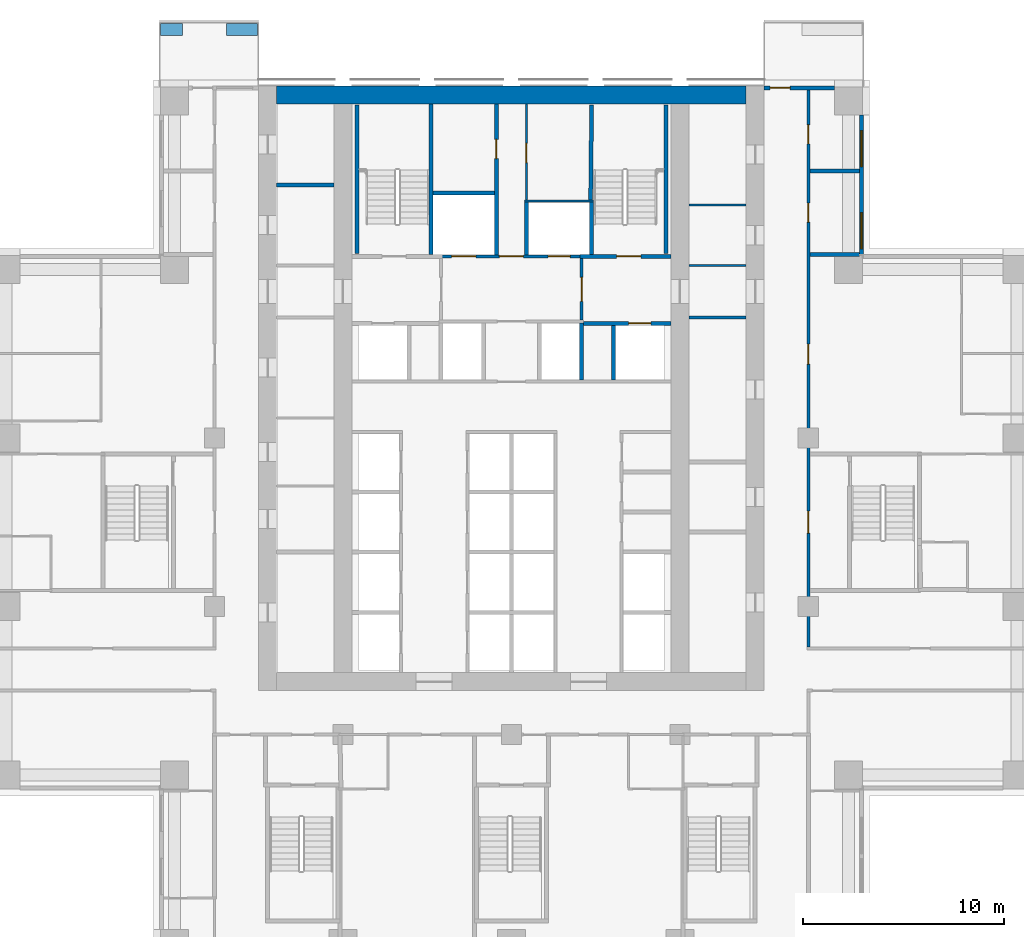
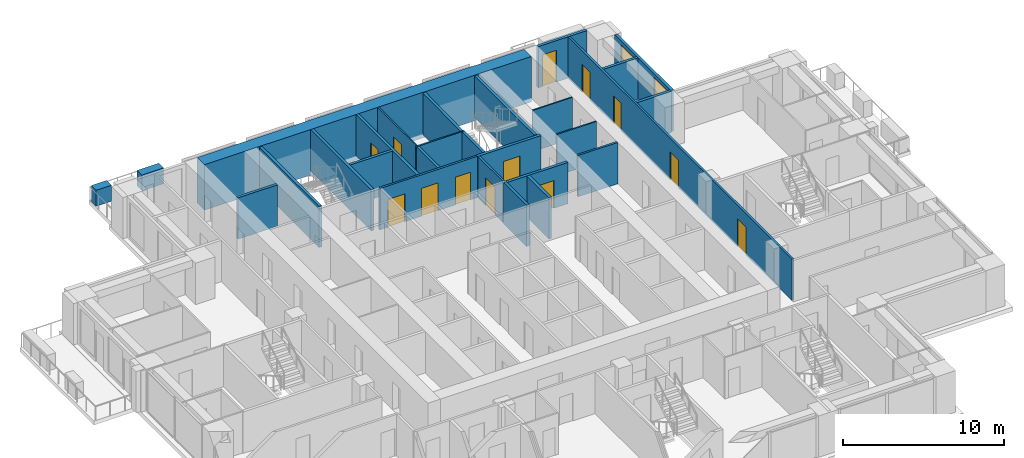
# One storey, part 11 of 16: 28 walls, 13 doors, 2 windows, 15 openings.
"""IFC4 building model written with IfcOpenShell, lengths in metres."""

from ifc_helpers import new_model, si_unit, direction, frame, frame_2d, origin, place, context, subcontext, project, spatial, rectangle, extrude, material, layer, layer_set, type_object, element, fill, save


model = new_model("IFC4")

# Units and contexts
model_context = context("Model", 3, precision=1e-05, world=origin(), true_north=direction((0.0, 1.0)))
body_context = subcontext(model_context, "Body", "Model", "MODEL_VIEW")
ifc_project = project(units=[si_unit("LENGTHUNIT", "METRE"), si_unit("AREAUNIT", "SQUARE_METRE"), si_unit("VOLUMEUNIT", "CUBIC_METRE"), si_unit("PLANEANGLEUNIT", "RADIAN"), si_unit("MASSUNIT", "GRAM", prefix="KILO")], contexts=[model_context])

# Site, building, storey
site_placement = place(None, origin())
site = spatial("IfcSite", under=ifc_project, at=site_placement, CompositionType="ELEMENT")
building_placement = place(site_placement, origin())
building = spatial("IfcBuilding", under=site, at=building_placement, Name="Vermilion Ogive Tower", CompositionType="ELEMENT")
storey_placement = place(building_placement, frame((0.0, 0.0, 41.39990234375)))
storey = spatial("IfcBuildingStorey", under=building, at=storey_placement, Name="L08", CompositionType="ELEMENT", Elevation=41.39990234375)

# Wall
ifc_material_1 = material(Name="Gypsum board partition on steel studs", Category="steel")
ifc_layer_1 = layer(ifc_material_1, 0.10009765625)
ifc_layer_set_1 = layer_set([ifc_layer_1], Name="Partition 100 bath")
wall_type_1 = type_object("IfcWallType", Name="Partition 100 bath", PredefinedType="PARTITIONING", material=ifc_layer_set_1)
wall_1_placement = place(storey_placement, frame((0.64990234375, 16.0, 0.0), z_axis=(0.0, 0.0, 1.0), x_axis=(1.0, 0.0, 0.0)))
element("IfcWall", 1, at=wall_1_placement, inside=storey, type_object=wall_type_1, Name="L08-CK-W-W021", PredefinedType="PARTITIONING", context=body_context, shape_type="SweptSolid", body=[
    extrude(rectangle(XDim=3.4501953125, YDim=0.10009765625, at=frame_2d((1.72509765625, 0.0))), origin(), (0.0, 0.0, 1.0), 3.130126953125),
])

# Wall, opening, door
wall_2_placement = place(storey_placement, frame((0.75, 16.050048828125, 0.0), z_axis=(0.0, 0.0, 1.0), x_axis=(0.0, 1.0, 0.0)))
wall_2 = element("IfcWall", 2, at=wall_2_placement, inside=storey, type_object=wall_type_1, Name="L08-CK-W-W033", PredefinedType="PARTITIONING", context=body_context, shape_type="SweptSolid", body=[
    extrude(rectangle(XDim=4.799072265625, YDim=0.10009765625, at=frame_2d((2.3994140625, 0.0))), origin(), (0.0, 0.0, 1.0), 3.130126953125),
])
opening_1_placement = place(wall_2_placement, frame((1.875, 0.0, 0.0)))
opening_1 = element("IfcOpeningElement", 3, at=opening_1_placement, cuts=wall_2, Name="Opening DAA031", PredefinedType="OPENING", context=body_context, shape_type="SweptSolid", body=[
    extrude(rectangle(XDim=0.949951171875, YDim=2.10009765625, at=frame_2d((0.47509765625, 1.050048828125))), frame((0.0, 0.06005859375, 0.0), z_axis=(0.0, -1.0, 0.0), x_axis=(1.0, 0.0, 0.0)), (0.0, 0.0, 1.0), 0.1201171875),
])
ifc_material_2 = material(Name="Timber door leaf", Category="wood")
door_type_1 = type_object("IfcDoorType", Name="Service door 950 x 2100 FD60", OperationType="SINGLE_SWING_LEFT", PredefinedType="DOOR", material=ifc_material_2)
door_1_placement = place(opening_1_placement, origin())
door_1 = element("IfcDoor", 4, at=door_1_placement, inside=storey, type_object=door_type_1, Name="L08-CK-D-D022", OperationType="SINGLE_SWING_LEFT", OverallHeight=2.10009765625, OverallWidth=0.949951171875, PredefinedType="DOOR", context=body_context, shape_type="SweptSolid", body=[
    extrude(rectangle(XDim=0.949951171875, YDim=2.10009765625, at=frame_2d((0.47509765625, 1.050048828125))), frame((0.0, 0.02490234375, 0.0), z_axis=(0.0, -1.0, 0.0), x_axis=(1.0, 0.0, 0.0)), (0.0, 0.0, 1.0), 0.050048828125),
])
fill(opening_1, door_1)

# Walls
for number, where, z_axis, x_axis, name in (
    (5, (8.85107421875, 12.800048828125, 0.0), (0.0, 0.0, 1.0), (1.0, 0.0, 0.0), "L08-CKE-W-W004"),
    (6, (8.85107421875, 15.800048828125, 0.0), (0.0, 0.0, 1.0), (1.0, 0.0, 0.0), "L08-CKE-W-W005"),
):
    element("IfcWall", number, at=place(storey_placement, frame(where, z_axis=z_axis, x_axis=x_axis)), inside=storey, type_object=wall_type_1, Name=name, PredefinedType="PARTITIONING", context=body_context, shape_type="SweptSolid", body=[
        extrude(rectangle(XDim=2.847900390625, YDim=0.10009765625, at=frame_2d((1.423828125, 0.0))), origin(), (0.0, 0.0, 1.0), 3.130126953125),
    ])

# Wall, openings, doors
ifc_material_3 = material(Name="Gypsum board partition on steel studs", Category="steel")
ifc_layer_2 = layer(ifc_material_3, 0.14990234375)
ifc_layer_set_2 = layer_set([ifc_layer_2], Name="Partition 150 corridor")
wall_type_2 = type_object("IfcWallType", Name="Partition 150 corridor", PredefinedType="PARTITIONING", material=ifc_layer_set_2)
wall_3_placement = place(storey_placement, frame((14.800048828125, -6.22509765625, 0.0), z_axis=(0.0, 0.0, 1.0), x_axis=(0.0, 1.0, 0.0)))
wall_3 = element("IfcWall", 7, at=wall_3_placement, inside=storey, type_object=wall_type_2, Name="L08-W-W068", PredefinedType="PARTITIONING", context=body_context, shape_type="SweptSolid", body=[
    extrude(rectangle(XDim=27.775146484375, YDim=0.14990234375, at=frame_2d((13.8876953125, 0.0))), origin(), (0.0, 0.0, 1.0), 3.130126953125),
])
opening_2_placement = place(wall_3_placement, frame((14.10009765625, 0.0, 0.0)))
opening_2 = element("IfcOpeningElement", 8, at=opening_2_placement, cuts=wall_3, Name="Opening D1G2020", PredefinedType="OPENING", context=body_context, shape_type="SweptSolid", body=[
    extrude(rectangle(XDim=1.0, YDim=2.10009765625, at=frame_2d((0.5, 1.050048828125))), frame((0.0, 0.0849609375, 0.0), z_axis=(0.0, -1.0, 0.0), x_axis=(1.0, 0.0, 0.0)), (0.0, 0.0, 1.0), 0.169921875),
])
opening_3_placement = place(wall_3_placement, frame((21.175048828125, 0.0, 0.0)))
opening_3 = element("IfcOpeningElement", 9, at=opening_3_placement, cuts=wall_3, Name="Opening D1G2023", PredefinedType="OPENING", context=body_context, shape_type="SweptSolid", body=[
    extrude(rectangle(XDim=0.949951171875, YDim=2.10009765625, at=frame_2d((0.47509765625, 1.050048828125))), frame((0.0, 0.0849609375, 0.0), z_axis=(0.0, -1.0, 0.0), x_axis=(1.0, 0.0, 0.0)), (0.0, 0.0, 1.0), 0.169921875),
])
opening_4_placement = place(wall_3_placement, frame((25.0751953125, 0.0, 0.0)))
opening_4 = element("IfcOpeningElement", 10, at=opening_4_placement, cuts=wall_3, Name="Opening D1G2024", PredefinedType="OPENING", context=body_context, shape_type="SweptSolid", body=[
    extrude(rectangle(XDim=0.949951171875, YDim=2.10009765625, at=frame_2d((0.47509765625, 1.050048828125))), frame((0.0, 0.0849609375, 0.0), z_axis=(0.0, -1.0, 0.0), x_axis=(1.0, 0.0, 0.0)), (0.0, 0.0, 1.0), 0.169921875),
])
opening_5_placement = place(wall_3_placement, frame((5.675048828125, 0.0, 0.0)))
opening_5 = element("IfcOpeningElement", 11, at=opening_5_placement, cuts=wall_3, Name="Opening D1G2031", PredefinedType="OPENING", context=body_context, shape_type="SweptSolid", body=[
    extrude(rectangle(XDim=1.10009765625, YDim=2.10009765625, at=frame_2d((0.550048828125, 1.050048828125))), frame((0.0, 0.0849609375, 0.0), z_axis=(0.0, -1.0, 0.0), x_axis=(1.0, 0.0, 0.0)), (0.0, 0.0, 1.0), 0.169921875),
])
ifc_material_4 = material(Name="Timber door leaf", Category="wood")
door_type_2 = type_object("IfcDoorType", Name="Stair door 1100 x 2100 FD60S", OperationType="SINGLE_SWING_LEFT", PredefinedType="DOOR", material=ifc_material_4)
door_2_placement = place(opening_5_placement, origin())
door_2 = element("IfcDoor", 12, at=door_2_placement, inside=storey, type_object=door_type_2, Name="L08-D-D031", OperationType="SINGLE_SWING_LEFT", OverallHeight=2.10009765625, OverallWidth=1.10009765625, PredefinedType="DOOR", context=body_context, shape_type="SweptSolid", body=[
    extrude(rectangle(XDim=1.10009765625, YDim=2.10009765625, at=frame_2d((0.550048828125, 1.050048828125))), frame((0.0, 0.02490234375, 0.0), z_axis=(0.0, -1.0, 0.0), x_axis=(1.0, 0.0, 0.0)), (0.0, 0.0, 1.0), 0.050048828125),
])
fill(opening_5, door_2)
ifc_material_5 = material(Name="Timber door leaf", Category="wood")
door_type_3 = type_object("IfcDoorType", Name="Unit door 1000 x 2100 FD30S", OperationType="SINGLE_SWING_LEFT", PredefinedType="DOOR", material=ifc_material_5)
door_3_placement = place(opening_2_placement, origin())
door_3 = element("IfcDoor", 13, at=door_3_placement, inside=storey, type_object=door_type_3, Name="L08-D-D020", OperationType="SINGLE_SWING_RIGHT", OverallHeight=2.10009765625, OverallWidth=1.0, PredefinedType="DOOR", context=body_context, shape_type="SweptSolid", body=[
    extrude(rectangle(XDim=1.0, YDim=2.10009765625, at=frame_2d((0.5, 1.050048828125))), frame((0.0, 0.02490234375, 0.0), z_axis=(0.0, -1.0, 0.0), x_axis=(1.0, 0.0, 0.0)), (0.0, 0.0, 1.0), 0.050048828125),
])
fill(opening_2, door_3)
ifc_material_6 = material(Name="Timber door leaf", Category="wood")
door_type_4 = type_object("IfcDoorType", Name="Unit door 950 x 2100 FD30S", OperationType="SINGLE_SWING_LEFT", PredefinedType="DOOR", material=ifc_material_6)
door_4_placement = place(opening_3_placement, origin())
door_4 = element("IfcDoor", 14, at=door_4_placement, inside=storey, type_object=door_type_4, Name="L08-D-D023", OperationType="SINGLE_SWING_LEFT", OverallHeight=2.10009765625, OverallWidth=0.949951171875, PredefinedType="DOOR", context=body_context, shape_type="SweptSolid", body=[
    extrude(rectangle(XDim=0.949951171875, YDim=2.10009765625, at=frame_2d((0.47509765625, 1.050048828125))), frame((0.0, 0.02490234375, 0.0), z_axis=(0.0, -1.0, 0.0), x_axis=(1.0, 0.0, 0.0)), (0.0, 0.0, 1.0), 0.050048828125),
])
fill(opening_3, door_4)
door_5_placement = place(opening_4_placement, origin())
door_5 = element("IfcDoor", 15, at=door_5_placement, inside=storey, type_object=door_type_4, Name="L08-D-D024", OperationType="SINGLE_SWING_RIGHT", OverallHeight=2.10009765625, OverallWidth=0.949951171875, PredefinedType="DOOR", context=body_context, shape_type="SweptSolid", body=[
    extrude(rectangle(XDim=0.949951171875, YDim=2.10009765625, at=frame_2d((0.47509765625, 1.050048828125))), frame((0.0, 0.02490234375, 0.0), z_axis=(0.0, -1.0, 0.0), x_axis=(1.0, 0.0, 0.0)), (0.0, 0.0, 1.0), 0.050048828125),
])
fill(opening_4, door_5)

wall_4_placement = place(storey_placement, frame((-3.574951171875, 13.25, 0.0), z_axis=(0.0, 0.0, 1.0), x_axis=(1.0, 0.0, 0.0)))
wall_4 = element("IfcWall", 16, at=wall_4_placement, inside=storey, type_object=wall_type_2, Name="L08-CK-W-W019", PredefinedType="PARTITIONING", context=body_context, shape_type="SweptSolid", body=[
    extrude(rectangle(XDim=7.14990234375, YDim=0.14990234375, at=frame_2d((3.574951171875, 0.0))), origin(), (0.0, 0.0, 1.0), 3.130126953125),
])
opening_6_placement = place(wall_4_placement, frame((0.599853515625, 0.0, 0.0)))
opening_6 = element("IfcOpeningElement", 17, at=opening_6_placement, cuts=wall_4, Name="Opening DAA045", PredefinedType="OPENING", context=body_context, shape_type="SweptSolid", body=[
    extrude(rectangle(XDim=1.199951171875, YDim=2.10009765625, at=frame_2d((0.60009765625, 1.050048828125))), frame((0.0, 0.0849609375, 0.0), z_axis=(0.0, -1.0, 0.0), x_axis=(1.0, 0.0, 0.0)), (0.0, 0.0, 1.0), 0.169921875),
])
opening_7_placement = place(wall_4_placement, frame((5.39990234375, 0.0, 0.0)))
opening_7 = element("IfcOpeningElement", 18, at=opening_7_placement, cuts=wall_4, Name="Opening DAA036", PredefinedType="OPENING", context=body_context, shape_type="SweptSolid", body=[
    extrude(rectangle(XDim=1.10009765625, YDim=2.10009765625, at=frame_2d((0.550048828125, 1.050048828125))), frame((0.0, 0.0849609375, 0.0), z_axis=(0.0, -1.0, 0.0), x_axis=(1.0, 0.0, 0.0)), (0.0, 0.0, 1.0), 0.169921875),
])
opening_8_placement = place(wall_4_placement, frame((2.974853515625, 0.0, 0.0)))
opening_8 = element("IfcOpeningElement", 19, at=opening_8_placement, cuts=wall_4, Name="Opening DAA026", PredefinedType="OPENING", context=body_context, shape_type="SweptSolid", body=[
    extrude(rectangle(XDim=1.199951171875, YDim=2.10009765625, at=frame_2d((0.60009765625, 1.050048828125))), frame((0.0, 0.0849609375, 0.0), z_axis=(0.0, -1.0, 0.0), x_axis=(1.0, 0.0, 0.0)), (0.0, 0.0, 1.0), 0.169921875),
])
ifc_material_7 = material(Name="Stainless steel", Category="steel")
door_type_5 = type_object("IfcDoorType", Name="Lift landing door 1100 x 2100", OperationType="SLIDING_TO_LEFT", PredefinedType="DOOR", material=ifc_material_7)
door_6_placement = place(opening_7_placement, origin())
door_6 = element("IfcDoor", 20, at=door_6_placement, inside=storey, type_object=door_type_5, Name="L08-CK-D-D019", OperationType="SLIDING_TO_LEFT", OverallHeight=2.10009765625, OverallWidth=1.10009765625, PredefinedType="DOOR", context=body_context, shape_type="SweptSolid", body=[
    extrude(rectangle(XDim=1.10009765625, YDim=2.10009765625, at=frame_2d((0.550048828125, 1.050048828125))), frame((0.0, 0.02490234375, 0.0), z_axis=(0.0, -1.0, 0.0), x_axis=(1.0, 0.0, 0.0)), (0.0, 0.0, 1.0), 0.050048828125),
])
fill(opening_7, door_6)
ifc_material_8 = material(Name="Stainless steel", Category="steel")
door_type_6 = type_object("IfcDoorType", Name="Lift landing door 1200 x 2100", OperationType="SLIDING_TO_LEFT", PredefinedType="DOOR", material=ifc_material_8)
door_7_placement = place(opening_6_placement, origin())
door_7 = element("IfcDoor", 21, at=door_7_placement, inside=storey, type_object=door_type_6, Name="L08-CK-D-D018", OperationType="SLIDING_TO_RIGHT", OverallHeight=2.10009765625, OverallWidth=1.199951171875, PredefinedType="DOOR", context=body_context, shape_type="SweptSolid", body=[
    extrude(rectangle(XDim=1.199951171875, YDim=2.10009765625, at=frame_2d((0.60009765625, 1.050048828125))), frame((0.0, 0.02490234375, 0.0), z_axis=(0.0, -1.0, 0.0), x_axis=(1.0, 0.0, 0.0)), (0.0, 0.0, 1.0), 0.050048828125),
])
fill(opening_6, door_7)
ifc_material_9 = material(Name="Timber door leaf", Category="wood")
door_type_7 = type_object("IfcDoorType", Name="Service door 1200 x 2100 FD60", OperationType="SINGLE_SWING_LEFT", PredefinedType="DOOR", material=ifc_material_9)
door_8_placement = place(opening_8_placement, origin())
door_8 = element("IfcDoor", 22, at=door_8_placement, inside=storey, type_object=door_type_7, Name="L08-CK-D-D020", OperationType="SINGLE_SWING_RIGHT", OverallHeight=2.10009765625, OverallWidth=1.199951171875, PredefinedType="DOOR", context=body_context, shape_type="SweptSolid", body=[
    extrude(rectangle(XDim=1.199951171875, YDim=2.10009765625, at=frame_2d((0.60009765625, 1.050048828125))), frame((0.0, 0.02490234375, 0.0), z_axis=(0.0, -1.0, 0.0), x_axis=(1.0, 0.0, 0.0)), (0.0, 0.0, 1.0), 0.050048828125),
])
fill(opening_8, door_8)

# Wall, opening, door
wall_5_placement = place(storey_placement, frame((3.5, 10.074951171875, 0.0), z_axis=(0.0, 0.0, 1.0), x_axis=(0.0, 1.0, 0.0)))
wall_5 = element("IfcWall", 23, at=wall_5_placement, inside=storey, type_object=wall_type_2, Name="L08-CK-W-W037", PredefinedType="PARTITIONING", context=body_context, shape_type="SweptSolid", body=[
    extrude(rectangle(XDim=3.074951171875, YDim=0.14990234375, at=frame_2d((1.53759765625, 0.0))), origin(), (0.0, 0.0, 1.0), 3.130126953125),
])
opening_9_placement = place(wall_5_placement, frame((0.925048828125, 0.0, 0.0)))
opening_9 = element("IfcOpeningElement", 24, at=opening_9_placement, cuts=wall_5, Name="Opening DAA023", PredefinedType="OPENING", context=body_context, shape_type="SweptSolid", body=[
    extrude(rectangle(XDim=1.199951171875, YDim=2.10009765625, at=frame_2d((0.60009765625, 1.050048828125))), frame((0.0, 0.0849609375, 0.0), z_axis=(0.0, -1.0, 0.0), x_axis=(1.0, 0.0, 0.0)), (0.0, 0.0, 1.0), 0.169921875),
])
ifc_material_10 = material(Name="Timber door leaf", Category="wood")
door_type_8 = type_object("IfcDoorType", Name="Lobby door 1200 x 2100 FD60S", OperationType="SINGLE_SWING_LEFT", PredefinedType="DOOR", material=ifc_material_10)
door_9_placement = place(opening_9_placement, origin())
door_9 = element("IfcDoor", 25, at=door_9_placement, inside=storey, type_object=door_type_8, Name="L08-CK-D-D024", OperationType="SINGLE_SWING_LEFT", OverallHeight=2.10009765625, OverallWidth=1.199951171875, PredefinedType="DOOR", context=body_context, shape_type="SweptSolid", body=[
    extrude(rectangle(XDim=1.199951171875, YDim=2.10009765625, at=frame_2d((0.60009765625, 1.050048828125))), frame((0.0, 0.02490234375, 0.0), z_axis=(0.0, -1.0, 0.0), x_axis=(1.0, 0.0, 0.0)), (0.0, 0.0, 1.0), 0.050048828125),
])
fill(opening_9, door_9)

# Walls
wall_6_placement = place(storey_placement, frame((8.85107421875, 10.199951171875, 0.0), z_axis=(0.0, 0.0, 1.0), x_axis=(1.0, 0.0, 0.0)))
element("IfcWall", 26, at=wall_6_placement, inside=storey, type_object=wall_type_2, Name="L08-CKE-W-W003", PredefinedType="PARTITIONING", context=body_context, shape_type="SweptSolid", body=[
    extrude(rectangle(XDim=2.847900390625, YDim=0.14990234375, at=frame_2d((1.423828125, 0.0))), origin(), (0.0, 0.0, 1.0), 3.130126953125),
])
ifc_material_11 = material(Name="Gypsum board partition on steel studs", Category="steel")
ifc_layer_3 = layer(ifc_material_11, 0.199951171875)
ifc_layer_set_3 = layer_set([ifc_layer_3], Name="Partition 200 party")
wall_type_3 = type_object("IfcWallType", Name="Partition 200 party", PredefinedType="PARTITIONING", material=ifc_layer_set_3)
for number, where, z_axis, x_axis, name in (
    (27, (14.875, 13.35009765625, 0.0), (0.0, 0.0, 1.0), (1.0, 0.0, 0.0), "L08-W-W038"),
    (28, (14.875, 17.5, 0.0), (0.0, 0.0, 1.0), (1.0, 0.0, 0.0), "L08-W-W040"),
):
    element("IfcWall", number, at=place(storey_placement, frame(where, z_axis=z_axis, x_axis=x_axis)), inside=storey, type_object=wall_type_3, Name=name, PredefinedType="PARTITIONING", context=body_context, shape_type="SweptSolid", body=[
        extrude(rectangle(XDim=2.47509765625, YDim=0.199951171875, at=frame_2d((1.237548828125, 0.0))), origin(), (0.0, 0.0, 1.0), 3.130126953125),
    ])

# Wall, opening, door
wall_7_placement = place(storey_placement, frame((3.60009765625, 9.89990234375, 0.0), z_axis=(0.0, 0.0, 1.0), x_axis=(1.0, 0.0, 0.0)))
wall_7 = element("IfcWall", 29, at=wall_7_placement, inside=storey, type_object=wall_type_3, Name="L08-CK-W-W016", PredefinedType="PARTITIONING", context=body_context, shape_type="SweptSolid", body=[
    extrude(rectangle(XDim=4.348876953125, YDim=0.199951171875, at=frame_2d((2.17431640625, 0.0))), origin(), (0.0, 0.0, 1.0), 3.130126953125),
])
opening_10_placement = place(wall_7_placement, frame((2.25, 0.0, 0.0)))
opening_10 = element("IfcOpeningElement", 30, at=opening_10_placement, cuts=wall_7, Name="Opening DAA035", PredefinedType="OPENING", context=body_context, shape_type="SweptSolid", body=[
    extrude(rectangle(XDim=1.10009765625, YDim=2.10009765625, at=frame_2d((0.550048828125, 1.050048828125))), frame((0.0, 0.10986328125, 0.0), z_axis=(0.0, -1.0, 0.0), x_axis=(1.0, 0.0, 0.0)), (0.0, 0.0, 1.0), 0.219970703125),
])
door_10_placement = place(opening_10_placement, origin())
door_10 = element("IfcDoor", 31, at=door_10_placement, inside=storey, type_object=door_type_5, Name="L08-CK-D-D015", OperationType="SLIDING_TO_LEFT", OverallHeight=2.10009765625, OverallWidth=1.10009765625, PredefinedType="DOOR", context=body_context, shape_type="SweptSolid", body=[
    extrude(rectangle(XDim=1.10009765625, YDim=2.10009765625, at=frame_2d((0.550048828125, 1.050048828125))), frame((0.0, 0.02490234375, 0.0), z_axis=(0.0, -1.0, 0.0), x_axis=(1.0, 0.0, 0.0)), (0.0, 0.0, 1.0), 0.050048828125),
])
fill(opening_10, door_10)

# Wall
wall_8_placement = place(storey_placement, frame((-3.89990234375, 16.39990234375, 0.0), z_axis=(0.0, 0.0, 1.0), x_axis=(1.0, 0.0, 0.0)))
element("IfcWall", 32, at=wall_8_placement, inside=storey, type_object=wall_type_3, Name="L08-CK-W-W022", PredefinedType="PARTITIONING", context=body_context, shape_type="SweptSolid", body=[
    extrude(rectangle(XDim=3.0498046875, YDim=0.199951171875, at=frame_2d((1.52490234375, 0.0))), origin(), (0.0, 0.0, 1.0), 3.130126953125),
])

# Wall, opening, door
wall_9_placement = place(storey_placement, frame((-0.75, 13.324951171875, 0.0), z_axis=(0.0, 0.0, 1.0), x_axis=(0.0, 1.0, 0.0)))
wall_9 = element("IfcWall", 33, at=wall_9_placement, inside=storey, type_object=wall_type_3, Name="L08-CK-W-W030", PredefinedType="PARTITIONING", context=body_context, shape_type="SweptSolid", body=[
    extrude(rectangle(XDim=7.524169921875, YDim=0.199951171875, at=frame_2d((3.76220703125, 0.0))), origin(), (0.0, 0.0, 1.0), 3.130126953125),
])
opening_11_placement = place(wall_9_placement, frame((4.800048828125, 0.0, 0.0)))
opening_11 = element("IfcOpeningElement", 34, at=opening_11_placement, cuts=wall_9, Name="Opening DAA030", PredefinedType="OPENING", context=body_context, shape_type="SweptSolid", body=[
    extrude(rectangle(XDim=0.949951171875, YDim=2.10009765625, at=frame_2d((0.47509765625, 1.050048828125))), frame((0.0, 0.10986328125, 0.0), z_axis=(0.0, -1.0, 0.0), x_axis=(1.0, 0.0, 0.0)), (0.0, 0.0, 1.0), 0.219970703125),
])
door_11_placement = place(opening_11_placement, origin())
door_11 = element("IfcDoor", 35, at=door_11_placement, inside=storey, type_object=door_type_1, Name="L08-CK-D-D021", OperationType="SINGLE_SWING_RIGHT", OverallHeight=2.10009765625, OverallWidth=0.949951171875, PredefinedType="DOOR", context=body_context, shape_type="SweptSolid", body=[
    extrude(rectangle(XDim=0.949951171875, YDim=2.10009765625, at=frame_2d((0.47509765625, 1.050048828125))), frame((0.0, 0.02490234375, 0.0), z_axis=(0.0, -1.0, 0.0), x_axis=(1.0, 0.0, 0.0)), (0.0, 0.0, 1.0), 0.050048828125),
])
fill(opening_11, door_11)

# Walls
wall_10_placement = place(storey_placement, frame((0.75, 13.324951171875, 0.0), z_axis=(0.0, 0.0, 1.0), x_axis=(0.0, 1.0, 0.0)))
element("IfcWall", 36, at=wall_10_placement, inside=storey, type_object=wall_type_3, Name="L08-CK-W-W032", PredefinedType="PARTITIONING", context=body_context, shape_type="SweptSolid", body=[
    extrude(rectangle(XDim=2.625, YDim=0.199951171875, at=frame_2d((1.3125, 0.0))), origin(), (0.0, 0.0, 1.0), 3.130126953125),
])
wall_11_placement = place(storey_placement, frame((3.5, 7.074951171875, 0.0), z_axis=(0.0, 0.0, 1.0), x_axis=(0.0, 1.0, 0.0)))
element("IfcWall", 37, at=wall_11_placement, inside=storey, type_object=wall_type_3, Name="L08-CK-W-W036", PredefinedType="PARTITIONING", context=body_context, shape_type="SweptSolid", body=[
    extrude(rectangle(XDim=2.85009765625, YDim=0.199951171875, at=frame_2d((1.425048828125, 0.0))), origin(), (0.0, 0.0, 1.0), 3.130126953125),
])
wall_12_placement = place(storey_placement, frame((5.10009765625, 7.074951171875, 0.0), z_axis=(0.0, 0.0, 1.0), x_axis=(0.0, 1.0, 0.0)))
element("IfcWall", 38, at=wall_12_placement, inside=storey, type_object=wall_type_3, Name="L08-CK-W-W040", PredefinedType="PARTITIONING", context=body_context, shape_type="SweptSolid", body=[
    extrude(rectangle(XDim=2.72509765625, YDim=0.199951171875, at=frame_2d((1.362548828125, 0.0))), origin(), (0.0, 0.0, 1.0), 3.130126953125),
])
wall_13_placement = place(storey_placement, frame((-11.698974609375, 16.800048828125, 0.0), z_axis=(0.0, 0.0, 1.0), x_axis=(1.0, 0.0, 0.0)))
element("IfcWall", 39, at=wall_13_placement, inside=storey, type_object=wall_type_3, Name="L08-CKW-W-W006", PredefinedType="PARTITIONING", context=body_context, shape_type="SweptSolid", body=[
    extrude(rectangle(XDim=2.847900390625, YDim=0.199951171875, at=frame_2d((1.423828125, 0.0))), origin(), (0.0, 0.0, 1.0), 3.130126953125),
])
ifc_material_12 = material(Name="Concrete B60", Category="concrete")
ifc_layer_4 = layer(ifc_material_12, 0.199951171875)
ifc_layer_set_4 = layer_set([ifc_layer_4], Name="Stair shaft wall 200 Concrete B60")
wall_type_4 = type_object("IfcWallType", Name="Stair shaft wall 200 Concrete B60", PredefinedType="SOLIDWALL", material=ifc_layer_set_4)
wall_14_placement = place(storey_placement, frame((-11.699951171875, 21.300048828125, -0.31982421875), z_axis=(0.0, 0.0, 1.0), x_axis=(1.0, 0.0, 0.0)))
element("IfcWall", 40, at=wall_14_placement, inside=storey, type_object=wall_type_4, Name="L08-CORE-N", PredefinedType="SOLIDWALL", context=body_context, shape_type="SweptSolid", body=[
    extrude(rectangle(XDim=23.39990234375, YDim=0.89990234375, at=frame_2d((11.699951171875, 0.0))), origin(), (0.0, 0.0, 1.0), 3.449951171875),
])

# Wall, opening, door
wall_15_placement = place(storey_placement, frame((3.425048828125, 13.25, 0.0), z_axis=(0.0, 0.0, 1.0), x_axis=(1.0, 0.0, 0.0)))
wall_15 = element("IfcWall", 41, at=wall_15_placement, inside=storey, type_object=wall_type_4, Name="L08-CK-W-W020", PredefinedType="SOLIDWALL", context=body_context, shape_type="SweptSolid", body=[
    extrude(rectangle(XDim=4.52392578125, YDim=0.199951171875, at=frame_2d((2.261962890625, 0.0))), origin(), (0.0, 0.0, 1.0), 3.130126953125),
])
opening_12_placement = place(wall_15_placement, frame((1.824951171875, 0.0, 0.0)))
opening_12 = element("IfcOpeningElement", 42, at=opening_12_placement, cuts=wall_15, Name="Opening DAA033", PredefinedType="OPENING", context=body_context, shape_type="SweptSolid", body=[
    extrude(rectangle(XDim=1.199951171875, YDim=2.10009765625, at=frame_2d((0.60009765625, 1.050048828125))), frame((0.0, 0.10986328125, 0.0), z_axis=(0.0, -1.0, 0.0), x_axis=(1.0, 0.0, 0.0)), (0.0, 0.0, 1.0), 0.219970703125),
])
ifc_material_13 = material(Name="Timber door leaf", Category="wood")
door_type_9 = type_object("IfcDoorType", Name="Stair door 1200 x 2100 FD60S", OperationType="SINGLE_SWING_LEFT", PredefinedType="DOOR", material=ifc_material_13)
door_12_placement = place(opening_12_placement, origin())
door_12 = element("IfcDoor", 43, at=door_12_placement, inside=storey, type_object=door_type_9, Name="L08-CK-D-D014", OperationType="SINGLE_SWING_RIGHT", OverallHeight=2.10009765625, OverallWidth=1.199951171875, PredefinedType="DOOR", context=body_context, shape_type="SweptSolid", body=[
    extrude(rectangle(XDim=1.199951171875, YDim=2.10009765625, at=frame_2d((0.60009765625, 1.050048828125))), frame((0.0, 0.02490234375, 0.0), z_axis=(0.0, -1.0, 0.0), x_axis=(1.0, 0.0, 0.0)), (0.0, 0.0, 1.0), 0.050048828125),
])
fill(opening_12, door_12)

# Walls
wall_16_placement = place(storey_placement, frame((-4.0, 13.35009765625, 0.0), z_axis=(0.0, 0.0, 1.0), x_axis=(0.0, 1.0, 0.0)))
element("IfcWall", 44, at=wall_16_placement, inside=storey, type_object=wall_type_4, Name="L08-CK-W-W025", PredefinedType="SOLIDWALL", context=body_context, shape_type="SweptSolid", body=[
    extrude(rectangle(XDim=7.4990234375, YDim=0.199951171875, at=frame_2d((3.74951171875, 0.0))), origin(), (0.0, 0.0, 1.0), 3.130126953125),
])
wall_17_placement = place(storey_placement, frame((4.0, 13.35009765625, 0.0), z_axis=(0.0, 0.0, 1.0), x_axis=(0.0, 1.0, 0.0)))
element("IfcWall", 45, at=wall_17_placement, inside=storey, type_object=wall_type_4, Name="L08-CK-W-W038", PredefinedType="SOLIDWALL", context=body_context, shape_type="SweptSolid", body=[
    extrude(rectangle(XDim=2.599853515625, YDim=0.199951171875, at=frame_2d((1.2998046875, 0.0))), origin(), (0.0, 0.0, 1.0), 3.130126953125),
])
wall_18_placement = place(storey_placement, frame((3.949951171875, 16.050048828125, 0.0), z_axis=(0.0, 0.0, 1.0), x_axis=(0.010538176883, 0.999944471872, 0.0)))
element("IfcWall", 46, at=wall_18_placement, inside=storey, type_object=wall_type_4, Name="L08-CK-W-W039", PredefinedType="SOLIDWALL", context=body_context, shape_type="SweptSolid", body=[
    extrude(rectangle(XDim=4.749267578125, YDim=0.199951171875, at=frame_2d((2.37451171875, 0.0))), origin(), (0.0, 0.0, 1.0), 3.130126953125),
])
for number, where, z_axis, x_axis, name in (
    (47, (-7.699951171875, 13.39990234375, 0.0), (0.0, 0.0, 1.0), (0.0, 1.0, 0.0), "L08-SW-R023-W1"),
    (48, (7.699951171875, 13.39990234375, 0.0), (0.0, 0.0, 1.0), (0.0, 1.0, 0.0), "L08-SW-R027-E1"),
):
    element("IfcWall", number, at=place(storey_placement, frame(where, z_axis=z_axis, x_axis=x_axis)), inside=storey, type_object=wall_type_4, Name=name, PredefinedType="SOLIDWALL", context=body_context, shape_type="SweptSolid", body=[
        extrude(rectangle(XDim=7.400146484375, YDim=0.199951171875, at=frame_2d((3.7001953125, 0.0))), origin(), (0.0, 0.0, 1.0), 3.130126953125),
    ])
ifc_material_14 = material(Name="Concrete B40", Category="concrete")
ifc_layer_5 = layer(ifc_material_14, 0.60009765625)
ifc_layer_set_5 = layer_set([ifc_layer_5], Name="Structural planter")
wall_type_5 = type_object("IfcWallType", Name="Structural planter", PredefinedType="USERDEFINED", material=ifc_layer_set_5)
wall_19_placement = place(storey_placement, frame((-12.659912109375, 24.550048828125, -0.039794921875), z_axis=(0.0, 0.0, 1.0), x_axis=(-1.0, 0.0, 0.0)))
element("IfcWall", 49, at=wall_19_placement, inside=storey, type_object=wall_type_5, Name="Planter N201A1", ObjectType="PLANTER", PredefinedType="USERDEFINED", context=body_context, shape_type="SweptSolid", body=[
    extrude(rectangle(XDim=1.5400390625, YDim=0.60009765625, at=frame_2d((0.77001953125, 0.0))), origin(), (0.0, 0.0, 1.0), 1.199951171875),
])
wall_20_placement = place(storey_placement, frame((-16.39990234375, 24.550048828125, -0.039794921875), z_axis=(0.0, 0.0, 1.0), x_axis=(-1.0, 0.0, 0.0)))
element("IfcWall", 50, at=wall_20_placement, inside=storey, type_object=wall_type_5, Name="Planter N201A2", ObjectType="PLANTER", PredefinedType="USERDEFINED", context=body_context, shape_type="SweptSolid", body=[
    extrude(rectangle(XDim=1.090087890625, YDim=0.60009765625, at=frame_2d((0.544921875, 0.0))), origin(), (0.0, 0.0, 1.0), 1.199951171875),
])

# Wall, openings, windows
ifc_material_15 = material(Name="Aluminium window wall framing", Category="aluminium")
ifc_layer_6 = layer(ifc_material_15, 0.199951171875)
ifc_layer_set_6 = layer_set([ifc_layer_6], Name="Window wall")
wall_type_6 = type_object("IfcWallType", Name="Window wall", PredefinedType="STANDARD", material=ifc_layer_set_6)
wall_21_placement = place(storey_placement, frame((17.449951171875, 13.35009765625, 0.0), z_axis=(0.0, 0.0, 1.0), x_axis=(0.0, 1.0, 0.0)))
wall_21 = element("IfcWall", 51, at=wall_21_placement, inside=storey, type_object=wall_type_6, Name="Window wall X41", PredefinedType="STANDARD", context=body_context, shape_type="SweptSolid", body=[
    extrude(rectangle(XDim=6.949951171875, YDim=0.199951171875, at=frame_2d((3.47509765625, 0.0))), origin(), (0.0, 0.0, 1.0), 3.130126953125),
])
opening_13_placement = place(wall_21_placement, frame((0.27490234375, 0.0, 0.199951171875)))
opening_13 = element("IfcOpeningElement", 52, at=opening_13_placement, cuts=wall_21, Name="Opening W1-X403", PredefinedType="OPENING", context=body_context, shape_type="SweptSolid", body=[
    extrude(rectangle(XDim=1.800048828125, YDim=2.64990234375, at=frame_2d((0.89990234375, 1.324951171875))), frame((0.0, 0.10986328125, 0.0), z_axis=(0.0, -1.0, 0.0), x_axis=(1.0, 0.0, 0.0)), (0.0, 0.0, 1.0), 0.219970703125),
])
opening_14_placement = place(wall_21_placement, frame((4.3701171875, 0.0, 0.199951171875)))
opening_14 = element("IfcOpeningElement", 53, at=opening_14_placement, cuts=wall_21, Name="Opening W1-X404", PredefinedType="OPENING", context=body_context, shape_type="SweptSolid", body=[
    extrude(rectangle(XDim=1.800048828125, YDim=2.64990234375, at=frame_2d((0.89990234375, 1.324951171875))), frame((0.0, 0.10986328125, 0.0), z_axis=(0.0, -1.0, 0.0), x_axis=(1.0, 0.0, 0.0)), (0.0, 0.0, 1.0), 0.219970703125),
])
ifc_material_16 = material(Name="Aluminium framed double glazing", Category="aluminium")
window_type = type_object("IfcWindowType", Name="Guest window W1", PartitioningType="SINGLE_PANEL", PredefinedType="WINDOW", material=ifc_material_16)
window_1_placement = place(opening_13_placement, origin())
window_1 = element("IfcWindow", 54, at=window_1_placement, inside=storey, type_object=window_type, Name="Window X403", OverallHeight=2.64990234375, OverallWidth=1.800048828125, PartitioningType="SINGLE_PANEL", PredefinedType="WINDOW", context=body_context, shape_type="SweptSolid", body=[
    extrude(rectangle(XDim=1.800048828125, YDim=2.64990234375, at=frame_2d((0.89990234375, 1.324951171875))), frame((0.0, 0.030029296875, 0.0), z_axis=(0.0, -1.0, 0.0), x_axis=(1.0, 0.0, 0.0)), (0.0, 0.0, 1.0), 0.06005859375),
])
fill(opening_13, window_1)
window_2_placement = place(opening_14_placement, origin())
window_2 = element("IfcWindow", 55, at=window_2_placement, inside=storey, type_object=window_type, Name="Window X404", OverallHeight=2.64990234375, OverallWidth=1.800048828125, PartitioningType="SINGLE_PANEL", PredefinedType="WINDOW", context=body_context, shape_type="SweptSolid", body=[
    extrude(rectangle(XDim=1.800048828125, YDim=2.64990234375, at=frame_2d((0.89990234375, 1.324951171875))), frame((0.0, 0.030029296875, 0.0), z_axis=(0.0, -1.0, 0.0), x_axis=(1.0, 0.0, 0.0)), (0.0, 0.0, 1.0), 0.06005859375),
])
fill(opening_14, window_2)

# Wall, opening, door
wall_22_placement = place(storey_placement, frame((16.10009765625, 21.64990234375, 0.0), z_axis=(0.0, 0.0, 1.0), x_axis=(-1.0, 0.0, 0.0)))
wall_22 = element("IfcWall", 56, at=wall_22_placement, inside=storey, type_object=wall_type_6, Name="Window wall N11", PredefinedType="STANDARD", context=body_context, shape_type="SweptSolid", body=[
    extrude(rectangle(XDim=3.5, YDim=0.199951171875, at=frame_2d((1.75, 0.0))), origin(), (0.0, 0.0, 1.0), 3.130126953125),
])
opening_15_placement = place(wall_22_placement, frame((2.199951171875, 0.0, 0.0)))
opening_15 = element("IfcOpeningElement", 57, at=opening_15_placement, cuts=wall_22, Name="Opening D1-N103", PredefinedType="OPENING", context=body_context, shape_type="SweptSolid", body=[
    extrude(rectangle(XDim=1.0, YDim=2.39990234375, at=frame_2d((0.5, 1.199951171875))), frame((0.0, 0.10986328125, 0.0), z_axis=(0.0, -1.0, 0.0), x_axis=(1.0, 0.0, 0.0)), (0.0, 0.0, 1.0), 0.219970703125),
])
ifc_material_17 = material(Name="Aluminium framed glazed door", Category="aluminium")
door_type_10 = type_object("IfcDoorType", Name="Balcony door D1", OperationType="SINGLE_SWING_LEFT", PredefinedType="DOOR", material=ifc_material_17)
door_13_placement = place(opening_15_placement, origin())
door_13 = element("IfcDoor", 58, at=door_13_placement, inside=storey, type_object=door_type_10, Name="Balcony door N103", OperationType="SINGLE_SWING_LEFT", OverallHeight=2.39990234375, OverallWidth=1.0, PredefinedType="DOOR", context=body_context, shape_type="SweptSolid", body=[
    extrude(rectangle(XDim=1.0, YDim=2.39990234375, at=frame_2d((0.5, 1.199951171875))), frame((0.0, 0.02490234375, 0.0), z_axis=(0.0, -1.0, 0.0), x_axis=(1.0, 0.0, 0.0)), (0.0, 0.0, 1.0), 0.050048828125),
])
fill(opening_15, door_13)

save(model, "model.ifc")
